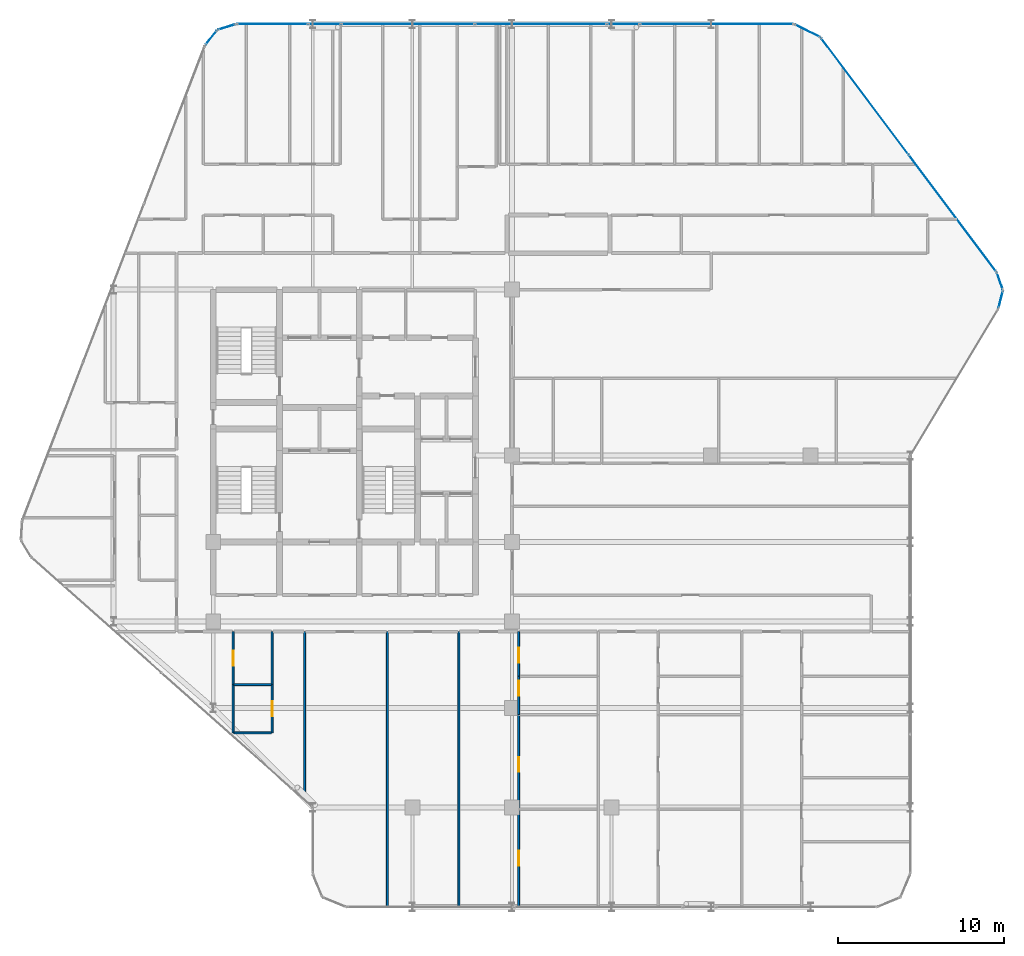
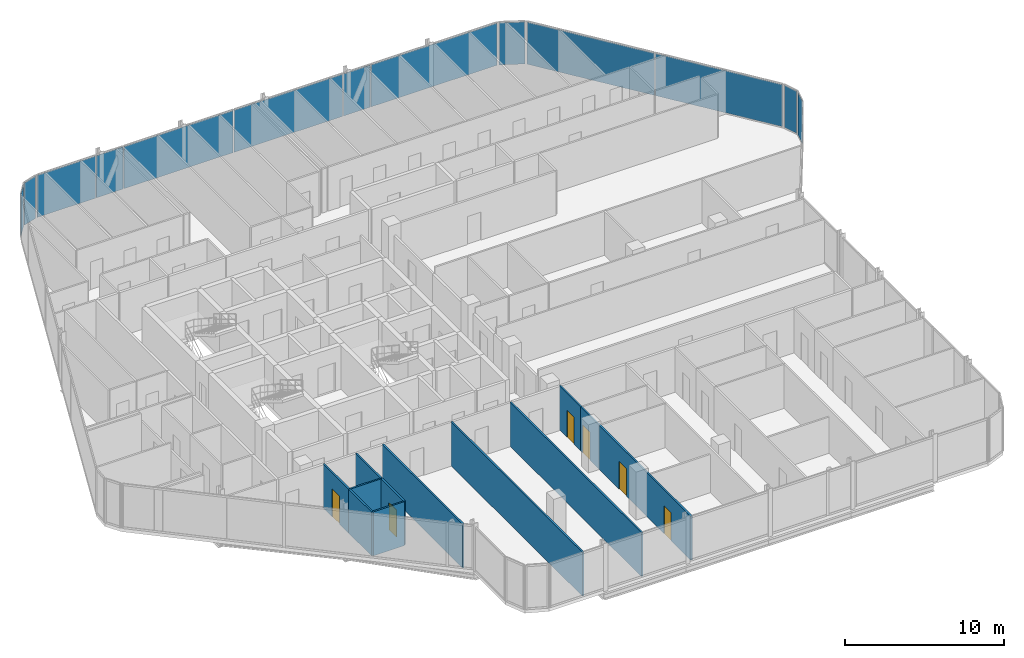
# One storey, part 24 of 31: 13 plates, 12 walls, 6 doors, 6 openings, 11 elements without a shape of their own.
"""IFC4 building model written with IfcOpenShell, lengths in metres."""

from ifc_helpers import new_model, si_unit, direction, frame, frame_2d, origin, origin_2d, place, context, subcontext, project, spatial, rectangle, extrude, material, layer, layer_set, type_object, element, fill, aggregate, save


model = new_model("IFC4")

# Units and contexts
model_context = context("Model", 3, precision=1e-05, world=origin(), true_north=direction((0.0, 1.0)))
body_context = subcontext(model_context, "Body", "Model", "MODEL_VIEW")
ifc_project = project(units=[si_unit("LENGTHUNIT", "METRE"), si_unit("AREAUNIT", "SQUARE_METRE"), si_unit("VOLUMEUNIT", "CUBIC_METRE"), si_unit("PLANEANGLEUNIT", "RADIAN"), si_unit("MASSUNIT", "GRAM", prefix="KILO")], contexts=[model_context])

# Site, building, storey
site_placement = place(None, origin())
site = spatial("IfcSite", under=ifc_project, at=site_placement, CompositionType="ELEMENT")
building_placement = place(site_placement, origin())
building = spatial("IfcBuilding", under=site, at=building_placement, Name="Keshet Zoharim Tower", CompositionType="ELEMENT")
storey_placement = place(building_placement, frame((0.0, 0.0, 144.60009765625)))
storey = spatial("IfcBuildingStorey", under=building, at=storey_placement, Name="L35", CompositionType="ELEMENT", Elevation=144.60009765625)

# Curtain wall, plate
ifc_material_1 = material(Name="Aluminium 6063-T6", Category="aluminium")
ifc_layer_1 = layer(ifc_material_1, 0.159912109375)
ifc_layer_set_1 = layer_set([ifc_layer_1], Name="Aluminium 6063-T6")
curtain_wall_type = type_object("IfcCurtainWallType", Name="CW-SYS-03", PredefinedType="NOTDEFINED", material=ifc_layer_set_1)
curtain_wall_1_placement = place(storey_placement, origin())
curtain_wall_1 = element("IfcCurtainWall", 1, at=curtain_wall_1_placement, inside=storey, type_object=curtain_wall_type, Name="L35 Unitised Curtain Wall 11", PredefinedType="NOTDEFINED")
ifc_material_2 = material(Name="Insulated Low-E Clear Glass", Category="glass")
ifc_layer_2 = layer(ifc_material_2, 0.035888671875)
ifc_layer_set_2 = layer_set([ifc_layer_2], Name="Insulated Low-E Clear Glass")
plate_type_1 = type_object("IfcPlateType", Name="CWP-01", PredefinedType="CURTAIN_PANEL", material=ifc_layer_set_2)
plate_1_placement = place(storey_placement, frame((14.8740234375, 53.08349609375, 0.06982421875), z_axis=(0.0, 0.0, 1.0), x_axis=(0.619124525989, 0.785292825205, 0.0)))
plate_1 = element("IfcPlate", 2, at=plate_1_placement, type_object=plate_type_1, Name="CW-03 panel 1.1", PredefinedType="CURTAIN_PANEL", context=body_context, shape_type="SweptSolid", body=[
    extrude(rectangle(XDim=1.045654296875, YDim=0.035888671875, at=origin_2d()), origin(), (0.0, 0.0, 1.0), 3.2451171875),
])
aggregate(curtain_wall_1, [plate_1])

curtain_wall_2_placement = place(storey_placement, origin())
curtain_wall_2 = element("IfcCurtainWall", 3, at=curtain_wall_2_placement, inside=storey, type_object=curtain_wall_type, Name="L35 Unitised Curtain Wall 12", PredefinedType="NOTDEFINED")
plate_2_placement = place(storey_placement, frame((15.8076171875, 53.724609375, 0.06982421875), z_axis=(0.0, 0.0, 1.0), x_axis=(0.955212151288, 0.295921857984, 0.0)))
plate_2 = element("IfcPlate", 4, at=plate_2_placement, type_object=plate_type_1, Name="CW-03 panel 1.1", PredefinedType="CURTAIN_PANEL", context=body_context, shape_type="SweptSolid", body=[
    extrude(rectangle(XDim=1.046142578125, YDim=0.035888671875, at=origin_2d()), origin(), (0.0, 0.0, 1.0), 3.2451171875),
])
aggregate(curtain_wall_2, [plate_2])

curtain_wall_3_placement = place(storey_placement, origin())
curtain_wall_3 = element("IfcCurtainWall", 5, at=curtain_wall_3_placement, inside=storey, type_object=curtain_wall_type, Name="L35 Unitised Curtain Wall 13", PredefinedType="NOTDEFINED")
ifc_layer_3 = layer(ifc_material_2, 0.031982421875)
ifc_layer_set_3 = layer_set([ifc_layer_3], Name="Insulated Low-E Clear Glass")
plate_type_2 = type_object("IfcPlateType", Name="CWP-02", PredefinedType="CURTAIN_PANEL", material=ifc_layer_set_3)
plate_3_placement = place(storey_placement, frame((18.56298828125, 53.89990234375, 0.06982421875), z_axis=(0.0, 0.0, 1.0), x_axis=(1.0, 0.0, 0.0)))
plate_3 = element("IfcPlate", 6, at=plate_3_placement, type_object=plate_type_2, Name="CW-03 panel 1.1", PredefinedType="CURTAIN_PANEL", context=body_context, shape_type="SweptSolid", body=[
    extrude(rectangle(XDim=4.23779296875, YDim=0.031982421875, at=origin_2d()), origin(), (0.0, 0.0, 1.0), 3.2451171875),
])
aggregate(curtain_wall_3, [plate_3])

# Curtain wall, plates
curtain_wall_4_placement = place(storey_placement, origin())
curtain_wall_4 = element("IfcCurtainWall", 7, at=curtain_wall_4_placement, inside=storey, type_object=curtain_wall_type, Name="L35 Unitised Curtain Wall 13 Part 3", PredefinedType="NOTDEFINED")
plate_4_placement = place(storey_placement, frame((26.7314453125, 53.89990234375, 0.06982421875), z_axis=(0.0, 0.0, 1.0), x_axis=(1.0, 0.0, 0.0)))
plate_4 = element("IfcPlate", 8, at=plate_4_placement, type_object=plate_type_2, Name="CW-03 panel 1.1", PredefinedType="CURTAIN_PANEL", context=body_context, shape_type="SweptSolid", body=[
    extrude(rectangle(XDim=7.966796875, YDim=0.031982421875, at=origin_2d()), origin(), (0.0, 0.0, 1.0), 3.2451171875),
])
plate_5_placement = place(storey_placement, frame((34.7333984375, 53.89990234375, 0.06982421875), z_axis=(0.0, 0.0, 1.0), x_axis=(1.0, 0.0, 0.0)))
plate_5 = element("IfcPlate", 9, at=plate_5_placement, type_object=plate_type_2, Name="CW-03 panel 2.1", PredefinedType="CURTAIN_PANEL", context=body_context, shape_type="SweptSolid", body=[
    extrude(rectangle(XDim=7.89697265625, YDim=0.031982421875, at=origin_2d()), origin(), (0.0, 0.0, 1.0), 3.2451171875),
])
aggregate(curtain_wall_4, [plate_4, plate_5])

# Curtain wall, plate
curtain_wall_5_placement = place(storey_placement, origin())
curtain_wall_5 = element("IfcCurtainWall", 10, at=curtain_wall_5_placement, inside=storey, type_object=curtain_wall_type, Name="L35 Unitised Curtain Wall 13 Part 5", PredefinedType="NOTDEFINED")
plate_6_placement = place(storey_placement, frame((45.339111328125, 53.89990234375, 0.06982421875), z_axis=(0.0, 0.0, 1.0), x_axis=(1.0, 0.0, 0.0)))
plate_6 = element("IfcPlate", 11, at=plate_6_placement, type_object=plate_type_2, Name="CW-03 panel 1.1", PredefinedType="CURTAIN_PANEL", context=body_context, shape_type="SweptSolid", body=[
    extrude(rectangle(XDim=9.181884765625, YDim=0.031982421875, at=origin_2d()), origin(), (0.0, 0.0, 1.0), 3.2451171875),
])
aggregate(curtain_wall_5, [plate_6])

curtain_wall_6_placement = place(storey_placement, origin())
curtain_wall_6 = element("IfcCurtainWall", 12, at=curtain_wall_6_placement, inside=storey, type_object=curtain_wall_type, Name="L35 Unitised Curtain Wall 14", PredefinedType="NOTDEFINED")
plate_7_placement = place(storey_placement, frame((50.800048828125, 53.5, 0.06982421875), z_axis=(0.0, 0.0, 1.0), x_axis=(0.894427191001, -0.447213595499, 0.0)))
plate_7 = element("IfcPlate", 13, at=plate_7_placement, type_object=plate_type_2, Name="CW-03 panel 1.1", PredefinedType="CURTAIN_PANEL", context=body_context, shape_type="SweptSolid", body=[
    extrude(rectangle(XDim=1.64892578125, YDim=0.031982421875, at=origin_2d()), origin(), (0.0, 0.0, 1.0), 3.2451171875),
])
aggregate(curtain_wall_6, [plate_7])

# Curtain wall, plates
curtain_wall_7_placement = place(storey_placement, origin())
curtain_wall_7 = element("IfcCurtainWall", 14, at=curtain_wall_7_placement, inside=storey, type_object=curtain_wall_type, Name="L35 Unitised Curtain Wall 15", PredefinedType="NOTDEFINED")
plate_8_placement = place(storey_placement, frame((54.2587890625, 49.554931640625, 0.06982421875), z_axis=(0.0, 0.0, 1.0), x_axis=(0.600000000002, -0.799999999998, 0.0)))
plate_8 = element("IfcPlate", 15, at=plate_8_placement, type_object=plate_type_2, Name="CW-03 panel 1.1", PredefinedType="CURTAIN_PANEL", context=body_context, shape_type="SweptSolid", body=[
    extrude(rectangle(XDim=8.722412109375, YDim=0.031982421875, at=origin_2d()), origin(), (0.0, 0.0, 1.0), 3.2451171875),
])
plate_9_placement = place(storey_placement, frame((59.5341796875, 42.52099609375, 0.06982421875), z_axis=(0.0, 0.0, 1.0), x_axis=(0.600000000002, -0.799999999998, 0.0)))
plate_9 = element("IfcPlate", 16, at=plate_9_placement, type_object=plate_type_2, Name="CW-03 panel 2.1", PredefinedType="CURTAIN_PANEL", context=body_context, shape_type="SweptSolid", body=[
    extrude(rectangle(XDim=8.722412109375, YDim=0.031982421875, at=origin_2d()), origin(), (0.0, 0.0, 1.0), 3.2451171875),
])
aggregate(curtain_wall_7, [plate_8, plate_9])

# Curtain wall, plate
curtain_wall_8_placement = place(storey_placement, origin())
curtain_wall_8 = element("IfcCurtainWall", 17, at=curtain_wall_8_placement, inside=storey, type_object=curtain_wall_type, Name="L35 Unitised Curtain Wall 16", PredefinedType="NOTDEFINED")
plate_10_placement = place(storey_placement, frame((62.3916015625, 38.427490234375, 0.06982421875), z_axis=(0.0, 0.0, 1.0), x_axis=(0.340297354046, -0.940317877544, 0.0)))
plate_10 = element("IfcPlate", 18, at=plate_10_placement, type_object=plate_type_2, Name="CW-03 panel 1.1", PredefinedType="CURTAIN_PANEL", context=body_context, shape_type="SweptSolid", body=[
    extrude(rectangle(XDim=1.026611328125, YDim=0.031982421875, at=origin_2d()), origin(), (0.0, 0.0, 1.0), 3.2451171875),
])
aggregate(curtain_wall_8, [plate_10])

curtain_wall_9_placement = place(storey_placement, origin())
curtain_wall_9 = element("IfcCurtainWall", 19, at=curtain_wall_9_placement, inside=storey, type_object=curtain_wall_type, Name="L35 Unitised Curtain Wall 17", PredefinedType="NOTDEFINED")
plate_11_placement = place(storey_placement, frame((62.448974609375, 37.31298828125, 0.06982421875), z_axis=(0.0, 0.0, 1.0), x_axis=(-0.241728770141, -0.970343857447, 0.0)))
plate_11 = element("IfcPlate", 20, at=plate_11_placement, type_object=plate_type_2, Name="CW-03 panel 1.1", PredefinedType="CURTAIN_PANEL", context=body_context, shape_type="SweptSolid", body=[
    extrude(rectangle(XDim=1.026611328125, YDim=0.031982421875, at=origin_2d()), origin(), (0.0, 0.0, 1.0), 3.2451171875),
])
aggregate(curtain_wall_9, [plate_11])

curtain_wall_10_placement = place(storey_placement, origin())
curtain_wall_10 = element("IfcCurtainWall", 21, at=curtain_wall_10_placement, inside=storey, type_object=curtain_wall_type, Name="L35 Unitised Curtain Wall 13 Part 2", PredefinedType="NOTDEFINED")
ifc_material_3 = material(Name="Insulated Aluminium Spandrel Panel", Category="aluminium")
ifc_layer_4 = layer(ifc_material_3, 0.031982421875)
ifc_layer_set_4 = layer_set([ifc_layer_4], Name="Insulated Aluminium Spandrel Panel")
plate_type_3 = type_object("IfcPlateType", Name="CWP-05", PredefinedType="CURTAIN_PANEL", material=ifc_layer_set_4)
plate_12_placement = place(storey_placement, frame((21.715087890625, 53.89990234375, 0.06982421875), z_axis=(0.0, 0.0, 1.0), x_axis=(1.0, 0.0, 0.0)))
plate_12 = element("IfcPlate", 22, at=plate_12_placement, type_object=plate_type_3, Name="CW-03 spandrel panel 1.1", PredefinedType="CURTAIN_PANEL", context=body_context, shape_type="SweptSolid", body=[
    extrude(rectangle(XDim=1.92626953125, YDim=0.031982421875, at=origin_2d()), origin(), (0.0, 0.0, 1.0), 3.2451171875),
])
aggregate(curtain_wall_10, [plate_12])

curtain_wall_11_placement = place(storey_placement, origin())
curtain_wall_11 = element("IfcCurtainWall", 23, at=curtain_wall_11_placement, inside=storey, type_object=curtain_wall_type, Name="L35 Unitised Curtain Wall 13 Part 4", PredefinedType="NOTDEFINED")
plate_13_placement = place(storey_placement, frame((39.715087890625, 53.89990234375, 0.06982421875), z_axis=(0.0, 0.0, 1.0), x_axis=(1.0, 0.0, 0.0)))
plate_13 = element("IfcPlate", 24, at=plate_13_placement, type_object=plate_type_3, Name="CW-03 spandrel panel 1.1", PredefinedType="CURTAIN_PANEL", context=body_context, shape_type="SweptSolid", body=[
    extrude(rectangle(XDim=1.92626953125, YDim=0.031982421875, at=origin_2d()), origin(), (0.0, 0.0, 1.0), 3.2451171875),
])
aggregate(curtain_wall_11, [plate_13])

# Wall, opening, door
ifc_material_4 = material(Name="Gypsum Plasterboard", Category="gypsum")
ifc_layer_5 = layer(ifc_material_4, 0.1201171875)
ifc_layer_set_5 = layer_set([ifc_layer_5], Name="Gypsum Plasterboard")
wall_type_1 = type_object("IfcWallType", Name="WL-PART-120", PredefinedType="PARTITIONING", material=ifc_layer_set_5)
wall_1_placement = place(storey_placement, frame((16.199951171875, 14.10009765625, 0.0), z_axis=(0.0, 0.0, 1.0), x_axis=(0.0, 1.0, 0.0)))
wall_1 = element("IfcWall", 25, at=wall_1_placement, inside=storey, type_object=wall_type_1, Name="L35 Interior Wall 019", PredefinedType="PARTITIONING", context=body_context, shape_type="SweptSolid", body=[
    extrude(rectangle(XDim=3.199951171875, YDim=0.1201171875, at=frame_2d((1.60009765625, 0.0))), origin(), (0.0, 0.0, 1.0), 3.385009765625),
])
opening_1_placement = place(wall_1_placement, frame((1.14990234375, 0.0, 0.0)))
opening_1 = element("IfcOpeningElement", 26, at=opening_1_placement, cuts=wall_1, Name="Opening D-IN90", PredefinedType="OPENING", context=body_context, shape_type="SweptSolid", body=[
    extrude(rectangle(XDim=0.89990234375, YDim=2.14990234375, at=frame_2d((0.449951171875, 1.074951171875))), frame((0.0, 0.070068359375, 0.0), z_axis=(0.0, -1.0, 0.0), x_axis=(1.0, 0.0, 0.0)), (0.0, 0.0, 1.0), 0.14013671875),
])
ifc_material_5 = material(Name="Hardwood Timber", Category="wood")
door_type_1 = type_object("IfcDoorType", Name="DR-INT-090", OperationType="NOTDEFINED", PredefinedType="DOOR", material=ifc_material_5)
door_1_placement = place(opening_1_placement, origin())
door_1 = element("IfcDoor", 27, at=door_1_placement, inside=storey, type_object=door_type_1, Name="Apartment 3501 Kitchenette Door", OperationType="SINGLE_SWING_RIGHT", OverallHeight=2.14990234375, OverallWidth=0.89990234375, PredefinedType="DOOR", context=body_context, shape_type="SweptSolid", body=[
    extrude(rectangle(XDim=0.89990234375, YDim=2.14990234375, at=frame_2d((0.449951171875, 1.074951171875))), frame((0.0, 0.02490234375, 0.0), z_axis=(0.0, -1.0, 0.0), x_axis=(1.0, 0.0, 0.0)), (0.0, 0.0, 1.0), 0.050048828125),
])
fill(opening_1, door_1)

# Walls
wall_2_placement = place(storey_placement, frame((18.550048828125, 14.10009765625, 0.0), z_axis=(0.0, 0.0, 1.0), x_axis=(0.0, 1.0, 0.0)))
element("IfcWall", 28, at=wall_2_placement, inside=storey, type_object=wall_type_1, Name="L35 Interior Wall 023", PredefinedType="PARTITIONING", context=body_context, shape_type="SweptSolid", body=[
    extrude(rectangle(XDim=3.199951171875, YDim=0.1201171875, at=frame_2d((1.60009765625, 0.0))), origin(), (0.0, 0.0, 1.0), 3.385009765625),
])
wall_3_placement = place(storey_placement, frame((20.5, 7.154052734375, 0.0), z_axis=(0.0, 0.0, 1.0), x_axis=(0.0, 1.0, 0.0)))
element("IfcWall", 29, at=wall_3_placement, inside=storey, type_object=wall_type_1, Name="L35 Interior Wall 030", PredefinedType="PARTITIONING", context=body_context, shape_type="SweptSolid", body=[
    extrude(rectangle(XDim=10.14599609375, YDim=0.1201171875, at=frame_2d((5.072998046875, 0.0))), origin(), (0.0, 0.0, 1.0), 3.385009765625),
])
for number, where, z_axis, x_axis, name in (
    (30, (25.5, 0.7099609375, 0.0), (0.0, 0.0, 1.0), (0.0, 1.0, 0.0), "L35 Interior Wall 044"),
    (31, (29.800048828125, 0.7099609375, 0.0), (0.0, 0.0, 1.0), (0.0, 1.0, 0.0), "L35 Interior Wall 058"),
):
    element("IfcWall", number, at=place(storey_placement, frame(where, z_axis=z_axis, x_axis=x_axis)), inside=storey, type_object=wall_type_1, Name=name, PredefinedType="PARTITIONING", context=body_context, shape_type="SweptSolid", body=[
        extrude(rectangle(XDim=16.590087890625, YDim=0.1201171875, at=frame_2d((8.294921875, 0.0))), origin(), (0.0, 0.0, 1.0), 3.385009765625),
    ])

# Wall, openings, doors
wall_4_placement = place(storey_placement, frame((33.39990234375, 0.7099609375, 0.0), z_axis=(0.0, 0.0, 1.0), x_axis=(0.0, 1.0, 0.0)))
wall_4 = element("IfcWall", 32, at=wall_4_placement, inside=storey, type_object=wall_type_1, Name="L35 Interior Wall 073", PredefinedType="PARTITIONING", context=body_context, shape_type="SweptSolid", body=[
    extrude(rectangle(XDim=11.590087890625, YDim=0.1201171875, at=frame_2d((5.794921875, 0.0))), origin(), (0.0, 0.0, 1.0), 3.385009765625),
])
opening_2_placement = place(wall_4_placement, frame((2.489990234375, 0.0, 0.0)))
opening_2 = element("IfcOpeningElement", 33, at=opening_2_placement, cuts=wall_4, Name="Opening D-IN90", PredefinedType="OPENING", context=body_context, shape_type="SweptSolid", body=[
    extrude(rectangle(XDim=0.89990234375, YDim=2.14990234375, at=frame_2d((0.449951171875, 1.074951171875))), frame((0.0, 0.070068359375, 0.0), z_axis=(0.0, -1.0, 0.0), x_axis=(1.0, 0.0, 0.0)), (0.0, 0.0, 1.0), 0.14013671875),
])
opening_3_placement = place(wall_4_placement, frame((8.133056640625, 0.0, 0.0)))
opening_3 = element("IfcOpeningElement", 34, at=opening_3_placement, cuts=wall_4, Name="Opening D-IN90", PredefinedType="OPENING", context=body_context, shape_type="SweptSolid", body=[
    extrude(rectangle(XDim=0.89990234375, YDim=2.14990234375, at=frame_2d((0.449951171875, 1.074951171875))), frame((0.0, 0.070068359375, 0.0), z_axis=(0.0, -1.0, 0.0), x_axis=(1.0, 0.0, 0.0)), (0.0, 0.0, 1.0), 0.14013671875),
])
door_2_placement = place(opening_2_placement, origin())
door_2 = element("IfcDoor", 35, at=door_2_placement, inside=storey, type_object=door_type_1, Name="Apartment 3502 Bedroom 1 Door", OperationType="SINGLE_SWING_LEFT", OverallHeight=2.14990234375, OverallWidth=0.89990234375, PredefinedType="DOOR", context=body_context, shape_type="SweptSolid", body=[
    extrude(rectangle(XDim=0.89990234375, YDim=2.14990234375, at=frame_2d((0.449951171875, 1.074951171875))), frame((0.0, 0.02490234375, 0.0), z_axis=(0.0, -1.0, 0.0), x_axis=(1.0, 0.0, 0.0)), (0.0, 0.0, 1.0), 0.050048828125),
])
fill(opening_2, door_2)
door_3_placement = place(opening_3_placement, origin())
door_3 = element("IfcDoor", 36, at=door_3_placement, inside=storey, type_object=door_type_1, Name="Apartment 3502 Bedroom 2 Door", OperationType="SINGLE_SWING_RIGHT", OverallHeight=2.14990234375, OverallWidth=0.89990234375, PredefinedType="DOOR", context=body_context, shape_type="SweptSolid", body=[
    extrude(rectangle(XDim=0.89990234375, YDim=2.14990234375, at=frame_2d((0.449951171875, 1.074951171875))), frame((0.0, 0.02490234375, 0.0), z_axis=(0.0, -1.0, 0.0), x_axis=(1.0, 0.0, 0.0)), (0.0, 0.0, 1.0), 0.050048828125),
])
fill(opening_3, door_3)

# Wall, opening, door
wall_5_placement = place(storey_placement, frame((33.39990234375, 12.300048828125, 0.0), z_axis=(0.0, 0.0, 1.0), x_axis=(0.0, 1.0, 0.0)))
wall_5 = element("IfcWall", 37, at=wall_5_placement, inside=storey, type_object=wall_type_1, Name="L35 Interior Wall 074", PredefinedType="PARTITIONING", context=body_context, shape_type="SweptSolid", body=[
    extrude(rectangle(XDim=2.300048828125, YDim=0.1201171875, at=frame_2d((1.14990234375, 0.0))), origin(), (0.0, 0.0, 1.0), 3.385009765625),
])
opening_4_placement = place(wall_5_placement, frame((1.14208984375, 0.0, 0.0)))
opening_4 = element("IfcOpeningElement", 38, at=opening_4_placement, cuts=wall_5, Name="Opening D-IN90", PredefinedType="OPENING", context=body_context, shape_type="SweptSolid", body=[
    extrude(rectangle(XDim=0.89990234375, YDim=2.14990234375, at=frame_2d((0.449951171875, 1.074951171875))), frame((0.0, 0.070068359375, 0.0), z_axis=(0.0, -1.0, 0.0), x_axis=(1.0, 0.0, 0.0)), (0.0, 0.0, 1.0), 0.14013671875),
])
door_4_placement = place(opening_4_placement, origin())
door_4 = element("IfcDoor", 39, at=door_4_placement, inside=storey, type_object=door_type_1, Name="Apartment 3502 Kitchen Door", OperationType="SINGLE_SWING_LEFT", OverallHeight=2.14990234375, OverallWidth=0.89990234375, PredefinedType="DOOR", context=body_context, shape_type="SweptSolid", body=[
    extrude(rectangle(XDim=0.89990234375, YDim=2.14990234375, at=frame_2d((0.449951171875, 1.074951171875))), frame((0.0, 0.02490234375, 0.0), z_axis=(0.0, -1.0, 0.0), x_axis=(1.0, 0.0, 0.0)), (0.0, 0.0, 1.0), 0.050048828125),
])
fill(opening_4, door_4)

# Wall
ifc_layer_6 = layer(ifc_material_4, 0.1201171875)
ifc_layer_set_6 = layer_set([ifc_layer_6], Name="Gypsum Plasterboard")
wall_type_2 = type_object("IfcWallType", Name="WL-WET-120", PredefinedType="PARTITIONING", material=ifc_layer_set_6)
wall_6_placement = place(storey_placement, frame((16.199951171875, 11.199951171875, 0.0), z_axis=(0.0, 0.0, 1.0), x_axis=(0.0, 1.0, 0.0)))
element("IfcWall", 40, at=wall_6_placement, inside=storey, type_object=wall_type_2, Name="L35 Interior Wall 018", PredefinedType="PARTITIONING", context=body_context, shape_type="SweptSolid", body=[
    extrude(rectangle(XDim=2.900146484375, YDim=0.1201171875, at=frame_2d((1.4501953125, 0.0))), origin(), (0.0, 0.0, 1.0), 3.385009765625),
])

# Wall, opening, door
wall_7_placement = place(storey_placement, frame((18.550048828125, 11.199951171875, 0.0), z_axis=(0.0, 0.0, 1.0), x_axis=(0.0, 1.0, 0.0)))
wall_7 = element("IfcWall", 41, at=wall_7_placement, inside=storey, type_object=wall_type_2, Name="L35 Interior Wall 022", PredefinedType="PARTITIONING", context=body_context, shape_type="SweptSolid", body=[
    extrude(rectangle(XDim=2.900146484375, YDim=0.1201171875, at=frame_2d((1.4501953125, 0.0))), origin(), (0.0, 0.0, 1.0), 3.385009765625),
])
opening_5_placement = place(wall_7_placement, frame((1.0, 0.0, 0.0)))
opening_5 = element("IfcOpeningElement", 42, at=opening_5_placement, cuts=wall_7, Name="Opening D-WT90", PredefinedType="OPENING", context=body_context, shape_type="SweptSolid", body=[
    extrude(rectangle(XDim=0.89990234375, YDim=2.10009765625, at=frame_2d((0.449951171875, 1.050048828125))), frame((0.0, 0.070068359375, 0.0), z_axis=(0.0, -1.0, 0.0), x_axis=(1.0, 0.0, 0.0)), (0.0, 0.0, 1.0), 0.14013671875),
])
door_type_2 = type_object("IfcDoorType", Name="DR-WET-090", OperationType="NOTDEFINED", PredefinedType="DOOR", material=ifc_material_5)
door_5_placement = place(opening_5_placement, origin())
door_5 = element("IfcDoor", 43, at=door_5_placement, inside=storey, type_object=door_type_2, Name="Apartment 3501 Bathroom Door", OperationType="SINGLE_SWING_LEFT", OverallHeight=2.10009765625, OverallWidth=0.89990234375, PredefinedType="DOOR", context=body_context, shape_type="SweptSolid", body=[
    extrude(rectangle(XDim=0.89990234375, YDim=2.10009765625, at=frame_2d((0.449951171875, 1.050048828125))), frame((0.0, 0.02490234375, 0.0), z_axis=(0.0, -1.0, 0.0), x_axis=(1.0, 0.0, 0.0)), (0.0, 0.0, 1.0), 0.050048828125),
])
fill(opening_5, door_5)

wall_8_placement = place(storey_placement, frame((33.39990234375, 14.60009765625, 0.0), z_axis=(0.0, 0.0, 1.0), x_axis=(0.0, 1.0, 0.0)))
wall_8 = element("IfcWall", 44, at=wall_8_placement, inside=storey, type_object=wall_type_2, Name="L35 Interior Wall 075", PredefinedType="PARTITIONING", context=body_context, shape_type="SweptSolid", body=[
    extrude(rectangle(XDim=2.699951171875, YDim=0.1201171875, at=frame_2d((1.35009765625, 0.0))), origin(), (0.0, 0.0, 1.0), 3.385009765625),
])
opening_6_placement = place(wall_8_placement, frame((0.827880859375, 0.0, 0.0)))
opening_6 = element("IfcOpeningElement", 45, at=opening_6_placement, cuts=wall_8, Name="Opening D-WT90", PredefinedType="OPENING", context=body_context, shape_type="SweptSolid", body=[
    extrude(rectangle(XDim=0.89990234375, YDim=2.10009765625, at=frame_2d((0.449951171875, 1.050048828125))), frame((0.0, 0.070068359375, 0.0), z_axis=(0.0, -1.0, 0.0), x_axis=(1.0, 0.0, 0.0)), (0.0, 0.0, 1.0), 0.14013671875),
])
door_6_placement = place(opening_6_placement, origin())
door_6 = element("IfcDoor", 46, at=door_6_placement, inside=storey, type_object=door_type_2, Name="Apartment 3502 Bathroom Door", OperationType="SINGLE_SWING_RIGHT", OverallHeight=2.10009765625, OverallWidth=0.89990234375, PredefinedType="DOOR", context=body_context, shape_type="SweptSolid", body=[
    extrude(rectangle(XDim=0.89990234375, YDim=2.10009765625, at=frame_2d((0.449951171875, 1.050048828125))), frame((0.0, 0.02490234375, 0.0), z_axis=(0.0, -1.0, 0.0), x_axis=(1.0, 0.0, 0.0)), (0.0, 0.0, 1.0), 0.050048828125),
])
fill(opening_6, door_6)

# Walls
for number, where, z_axis, x_axis, name in (
    (47, (16.2451171875, 11.199951171875, 0.0), (0.0, 0.0, 1.0), (1.0, 0.0, 0.0), "L35 Interior Wall 110"),
    (48, (16.2451171875, 14.10009765625, 0.0), (0.0, 0.0, 1.0), (1.0, 0.0, 0.0), "L35 Interior Wall 114"),
):
    element("IfcWall", number, at=place(storey_placement, frame(where, z_axis=z_axis, x_axis=x_axis)), inside=storey, type_object=wall_type_2, Name=name, PredefinedType="PARTITIONING", context=body_context, shape_type="SweptSolid", body=[
        extrude(rectangle(XDim=2.259765625, YDim=0.1201171875, at=frame_2d((1.1298828125, 0.0))), origin(), (0.0, 0.0, 1.0), 3.385009765625),
    ])

save(model, "model.ifc")
